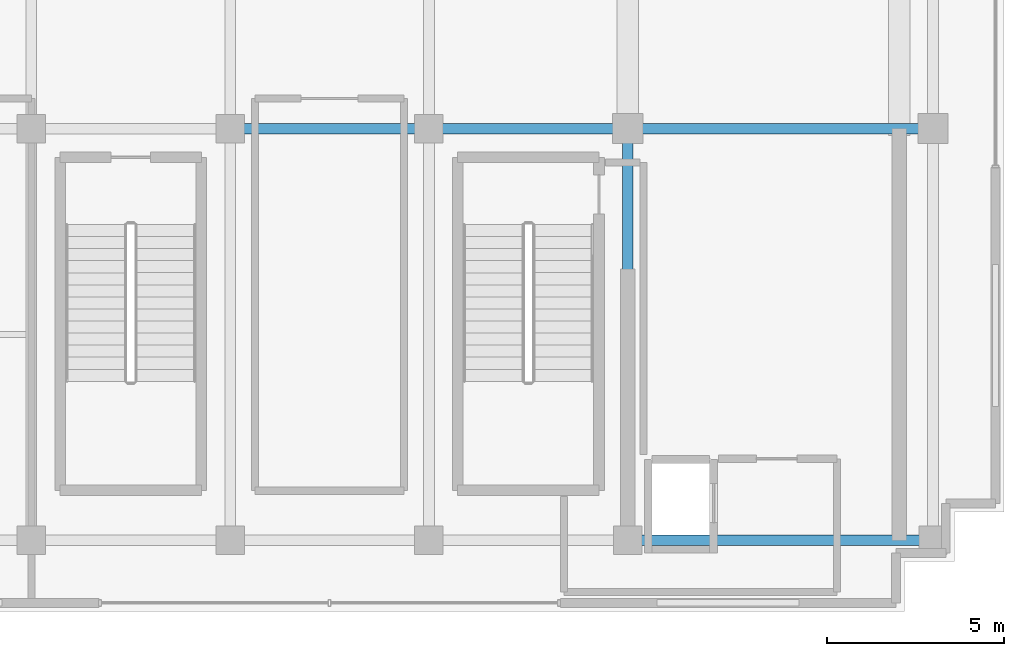
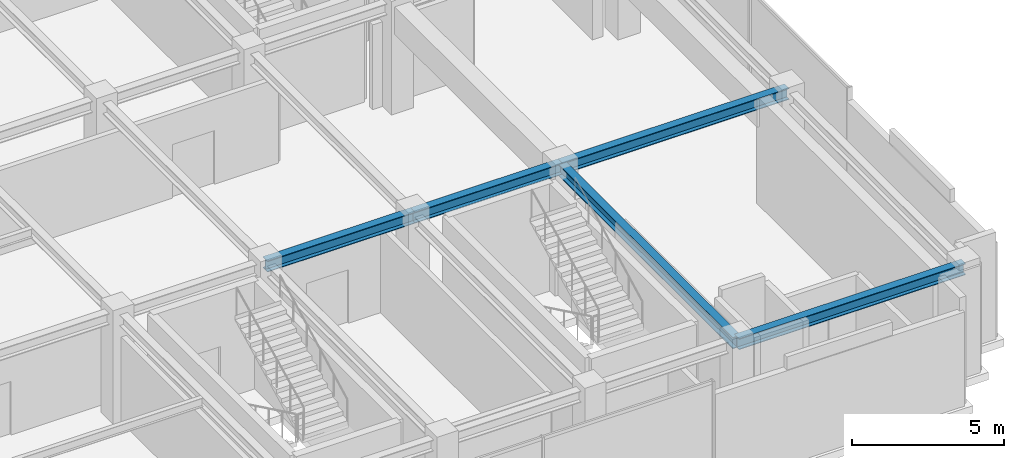
# One storey, part 5 of 18: 5 beams.
"""IFC4 building model written with IfcOpenShell, lengths in metres."""

from ifc_helpers import new_model, si_unit, direction, frame, origin, origin_2d, place, context, subcontext, project, spatial, i_section, extrude, source, transform, mapped, material, material_profile, profile_set, type_object, element, save


model = new_model("IFC4")

# Units and contexts
model_context = context("Model", 3, precision=1e-05, world=origin(), true_north=direction((0.0, 1.0)))
body_context = subcontext(model_context, "Body", "Model", "MODEL_VIEW")
ifc_project = project(units=[si_unit("LENGTHUNIT", "METRE"), si_unit("AREAUNIT", "SQUARE_METRE"), si_unit("VOLUMEUNIT", "CUBIC_METRE"), si_unit("PLANEANGLEUNIT", "RADIAN"), si_unit("MASSUNIT", "GRAM", prefix="KILO")], contexts=[model_context])

# Site, building, storey
site_placement = place(None, origin())
site = spatial("IfcSite", under=ifc_project, at=site_placement, CompositionType="ELEMENT")
building_placement = place(site_placement, origin())
building = spatial("IfcBuilding", under=site, at=building_placement, Name="Nahalor Promenade Grand Hotel", CompositionType="ELEMENT")
storey_placement = place(building_placement, frame((0.0, 0.0, 361.64990234375)))
storey = spatial("IfcBuildingStorey", under=building, at=storey_placement, Name="L92", CompositionType="ELEMENT", Elevation=361.64990234375)

# Beams
ifc_material = material(Name="Steel S355JR", Category="steel")
ifc_material_profile = material_profile(ifc_material, i_section(OverallWidth=0.3, OverallDepth=0.45, WebThickness=0.014, FlangeThickness=0.026, at=origin_2d()), Name="HEB 450")
ifc_profile_set = profile_set([ifc_material_profile], Name="Steel S355JR")
beam_type = type_object("IfcBeamType", Name="Beam-Girder-HEB450", PredefinedType="BEAM", material=ifc_profile_set)
shared_shape_1 = source(origin(), body_context, "Body", "SweptSolid", [
    extrude(i_section(OverallWidth=0.3, OverallDepth=0.45, WebThickness=0.014, FlangeThickness=0.026, at=origin_2d()), origin(), (0.0, 0.0, 1.0), 8.60009765625),
])
for number, where, z_axis, x_axis, name in (
    (1, (8.39990234375, -17.0, 4.0751953125), (1.0, 0.0, 0.0), (0.0, 1.0, 0.0), "BM-L92-GX-0-4"),
    (2, (8.39990234375, -5.39990234375, 4.0751953125), (1.0, 0.0, 0.0), (0.0, 1.0, 0.0), "BM-L92-GX-1-4"),
):
    element("IfcBeam", number, at=place(storey_placement, frame(where, z_axis=z_axis, x_axis=x_axis)), inside=storey, type_object=beam_type, Name=name, PredefinedType="BEAM", context=body_context, shape_type="MappedRepresentation", body=[
        mapped(shared_shape_1, transform((0.0, 0.0, 0.0), scale=1.0)),
    ])
shared_shape_2 = source(origin(), body_context, "Body", "SweptSolid", [
    extrude(i_section(OverallWidth=0.3, OverallDepth=0.45, WebThickness=0.014, FlangeThickness=0.026, at=origin_2d()), origin(), (0.0, 0.0, 1.0), 5.599853515625),
])
beam_1_placement = place(storey_placement, frame((2.800048828125, -5.39990234375, 4.0751953125), z_axis=(1.0, 0.0, 0.0), x_axis=(0.0, 1.0, 0.0)))
element("IfcBeam", 3, at=beam_1_placement, inside=storey, type_object=beam_type, Name="BM-L92-GX-1-3", PredefinedType="BEAM", context=body_context, shape_type="MappedRepresentation", body=[
    mapped(shared_shape_2, transform((0.0, 0.0, 0.0), scale=1.0)),
])
shared_shape_3 = source(origin(), body_context, "Body", "SweptSolid", [
    extrude(i_section(OverallWidth=0.3, OverallDepth=0.45, WebThickness=0.014, FlangeThickness=0.026, at=origin_2d()), origin(), (0.0, 0.0, 1.0), 5.60009765625),
])
beam_2_placement = place(storey_placement, frame((-2.800048828125, -5.39990234375, 4.0751953125), z_axis=(1.0, 0.0, 0.0), x_axis=(0.0, 1.0, 0.0)))
element("IfcBeam", 4, at=beam_2_placement, inside=storey, type_object=beam_type, Name="BM-L92-GX-1-2", PredefinedType="BEAM", context=body_context, shape_type="MappedRepresentation", body=[
    mapped(shared_shape_3, transform((0.0, 0.0, 0.0), scale=1.0)),
])
shared_shape_4 = source(origin(), body_context, "Body", "SweptSolid", [
    extrude(i_section(OverallWidth=0.3, OverallDepth=0.45, WebThickness=0.014, FlangeThickness=0.026, at=origin_2d()), origin(), (0.0, 0.0, 1.0), 11.60009765625),
])
beam_3_placement = place(storey_placement, frame((8.39990234375, -17.0, 4.0751953125), z_axis=(0.0, 1.0, 0.0), x_axis=(-1.0, 0.0, 0.0)))
element("IfcBeam", 5, at=beam_3_placement, inside=storey, type_object=beam_type, Name="BM-L92-GY-4-0", PredefinedType="BEAM", context=body_context, shape_type="MappedRepresentation", body=[
    mapped(shared_shape_4, transform((0.0, 0.0, 0.0), scale=1.0)),
])

save(model, "model.ifc")
